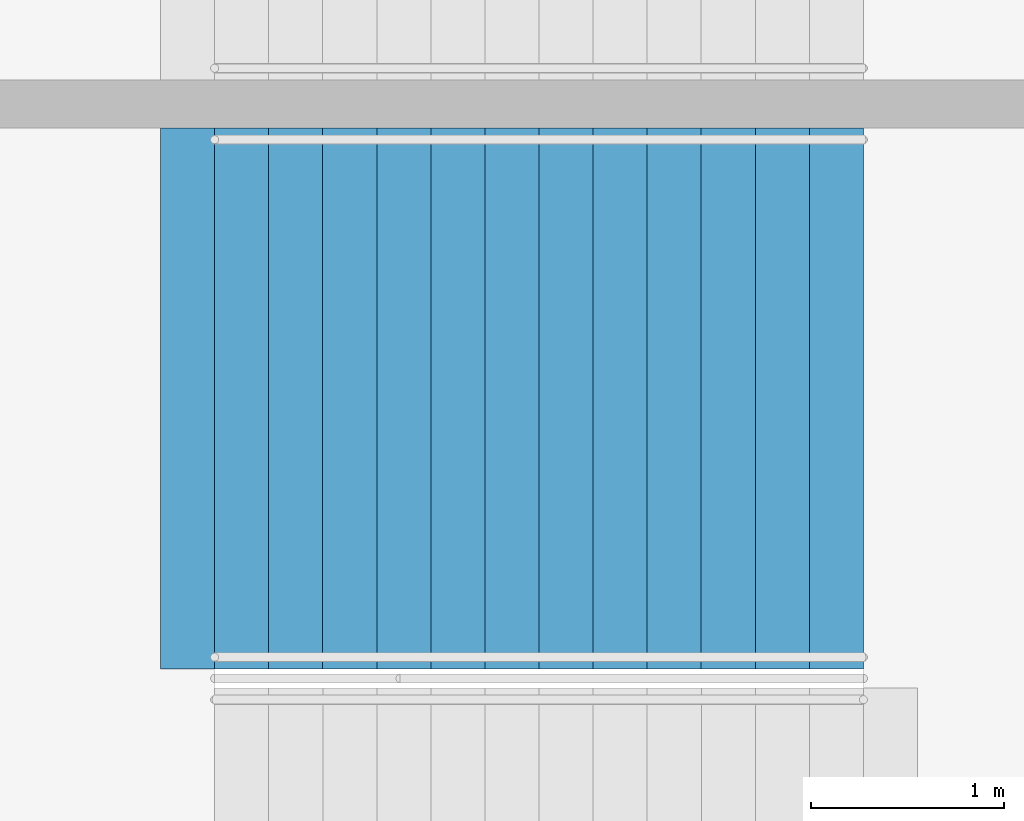
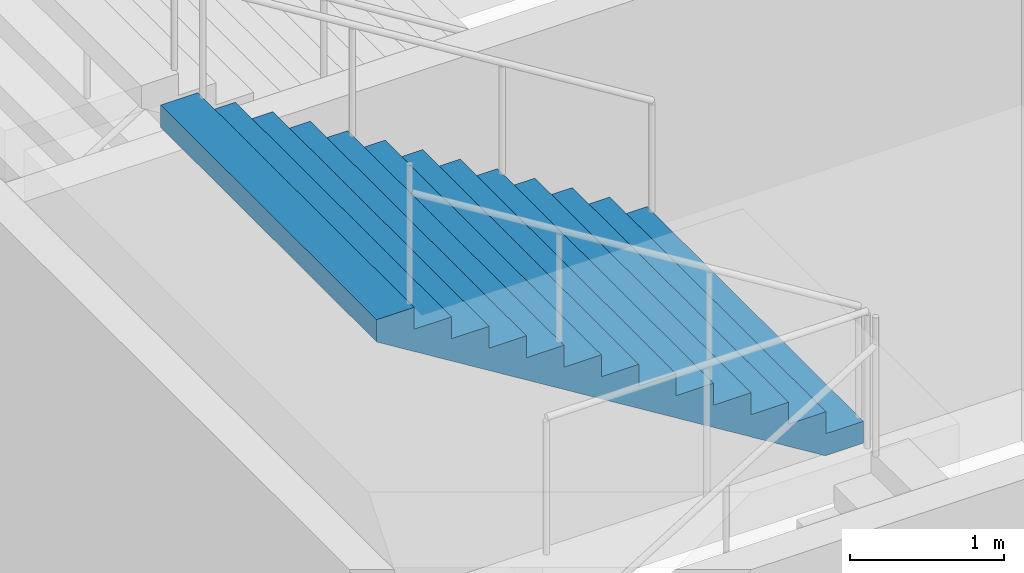
# One storey, part 221 of 249: 1 stair flight, 1 element without a shape of its own.
"""IFC4 building model written with IfcOpenShell, lengths in metres."""

from ifc_helpers import new_model, si_unit, direction, frame, origin, place, context, subcontext, project, spatial, faceted_brep, material, type_object, element, aggregate, save


model = new_model("IFC4")

# Units and contexts
model_context = context("Model", 3, precision=1e-05, world=origin(), true_north=direction((0.0, 1.0)))
body_context = subcontext(model_context, "Body", "Model", "MODEL_VIEW")
ifc_project = project(units=[si_unit("LENGTHUNIT", "METRE"), si_unit("AREAUNIT", "SQUARE_METRE"), si_unit("VOLUMEUNIT", "CUBIC_METRE"), si_unit("PLANEANGLEUNIT", "RADIAN"), si_unit("MASSUNIT", "GRAM", prefix="KILO")], contexts=[model_context])

# Site, building, storey
site_placement = place(None, origin())
site = spatial("IfcSite", under=ifc_project, at=site_placement, CompositionType="ELEMENT")
building_placement = place(site_placement, origin())
building = spatial("IfcBuilding", under=site, at=building_placement, Name="Ogive Plaza Stadium", CompositionType="ELEMENT")
storey_placement = place(building_placement, frame((0.0, 0.0, 13.5)))
storey = spatial("IfcBuildingStorey", under=building, at=storey_placement, Name="L03", CompositionType="ELEMENT", Elevation=13.5)

# Stair, stair flight
ifc_material_1 = material(Name="Concrete C40/50", Category="concrete")
stair_type = type_object("IfcStairType", Name="Exit stair", PredefinedType="STRAIGHT_RUN_STAIR", material=ifc_material_1)
stair_placement = place(storey_placement, origin())
stair = element("IfcStair", 1, at=stair_placement, inside=storey, type_object=stair_type, Name="Exit stair ST02A L03 to L04", PredefinedType="STRAIGHT_RUN_STAIR")
ifc_material_2 = material(Name="Concrete C40/50", Category="concrete")
stair_flight_type = type_object("IfcStairFlightType", Name="Exit stair flight", PredefinedType="STRAIGHT", material=ifc_material_2)
stair_flight_placement = place(storey_placement, frame((79.7099609375, 35.97509765625, 2.25), z_axis=(0.0, 0.0, 1.0), x_axis=(-1.0, 0.0, 0.0)))
stair_flight = element("IfcStairFlight", 2, at=stair_flight_placement, type_object=stair_flight_type, Name="ST02A flight 2", NumberOfRisers=13, NumberOfTreads=12, PredefinedType="STRAIGHT", RiserHeight=0.173076923, TreadLength=0.28, context=body_context, shape_type="Brep", body=[
    faceted_brep([(0.28515625, -1.39990234375, 0.0), (3.639892578125, -1.39990234375, 2.07373046875), (3.639892578125, -1.39990234375, 2.25), (3.360107421875, -1.39990234375, 2.25), (3.360107421875, -1.39990234375, 2.076904296875), (3.080078125, -1.39990234375, 2.076904296875), (3.080078125, -1.39990234375, 1.90380859375), (2.800048828125, -1.39990234375, 1.90380859375), (2.800048828125, -1.39990234375, 1.730712890625), (2.52001953125, -1.39990234375, 1.730712890625), (2.52001953125, -1.39990234375, 1.5576171875), (2.239990234375, -1.39990234375, 1.5576171875), (2.239990234375, -1.39990234375, 1.384521484375), (1.9599609375, -1.39990234375, 1.384521484375), (1.9599609375, -1.39990234375, 1.21142578125), (1.679931640625, -1.39990234375, 1.21142578125), (1.679931640625, -1.39990234375, 1.03857421875), (1.39990234375, -1.39990234375, 1.03857421875), (1.39990234375, -1.39990234375, 0.865478515625), (1.1201171875, -1.39990234375, 0.865478515625), (1.1201171875, -1.39990234375, 0.6923828125), (0.840087890625, -1.39990234375, 0.6923828125), (0.840087890625, -1.39990234375, 0.519287109375), (0.56005859375, -1.39990234375, 0.519287109375), (0.56005859375, -1.39990234375, 0.34619140625), (0.280029296875, -1.39990234375, 0.34619140625), (0.280029296875, -1.39990234375, 0.173095703125), (0.0, -1.39990234375, 0.173095703125), (0.0, -1.39990234375, 0.0), (0.0, 1.39990234375, 0.0), (0.0, 1.39990234375, 0.173095703125), (0.280029296875, 1.39990234375, 0.173095703125), (0.280029296875, 1.39990234375, 0.34619140625), (0.56005859375, 1.39990234375, 0.34619140625), (0.56005859375, 1.39990234375, 0.519287109375), (0.840087890625, 1.39990234375, 0.519287109375), (0.840087890625, 1.39990234375, 0.6923828125), (1.1201171875, 1.39990234375, 0.6923828125), (1.1201171875, 1.39990234375, 0.865478515625), (1.39990234375, 1.39990234375, 0.865478515625), (1.39990234375, 1.39990234375, 1.03857421875), (1.679931640625, 1.39990234375, 1.03857421875), (1.679931640625, 1.39990234375, 1.21142578125), (1.9599609375, 1.39990234375, 1.21142578125), (1.9599609375, 1.39990234375, 1.384521484375), (2.239990234375, 1.39990234375, 1.384521484375), (2.239990234375, 1.39990234375, 1.5576171875), (2.52001953125, 1.39990234375, 1.5576171875), (2.52001953125, 1.39990234375, 1.730712890625), (2.800048828125, 1.39990234375, 1.730712890625), (2.800048828125, 1.39990234375, 1.90380859375), (3.080078125, 1.39990234375, 1.90380859375), (3.080078125, 1.39990234375, 2.076904296875), (3.360107421875, 1.39990234375, 2.076904296875), (3.360107421875, 1.39990234375, 2.25), (3.639892578125, 1.39990234375, 2.25), (3.639892578125, 1.39990234375, 2.07373046875), (0.28515625, 1.39990234375, 0.0), (0.28515625, -1.0888671875, 0.0), (3.639892578125, -1.0888671875, 2.07373046875), (0.28515625, -0.77783203125, 0.0), (3.639892578125, -0.77783203125, 2.07373046875), (0.28515625, -0.466796875, 0.0), (3.639892578125, -0.466796875, 2.07373046875), (0.28515625, -0.155517578125, 0.0), (3.639892578125, -0.155517578125, 2.07373046875), (0.28515625, 0.155517578125, 0.0), (3.639892578125, 0.155517578125, 2.07373046875), (0.28515625, 0.466796875, 0.0), (3.639892578125, 0.466796875, 2.07373046875), (0.28515625, 0.77783203125, 0.0), (3.639892578125, 0.77783203125, 2.07373046875), (0.28515625, 1.0888671875, 0.0), (3.639892578125, 1.0888671875, 2.07373046875), (3.639892578125, -1.0888671875, 2.25), (3.639892578125, -0.77783203125, 2.25), (3.639892578125, -0.466796875, 2.25), (3.639892578125, -0.155517578125, 2.25), (3.639892578125, 0.155517578125, 2.25), (3.639892578125, 0.466796875, 2.25), (3.639892578125, 0.77783203125, 2.25), (3.639892578125, 1.0888671875, 2.25), (3.360107421875, -1.0888671875, 2.25), (3.360107421875, -0.77783203125, 2.25), (3.360107421875, -0.466796875, 2.25), (3.360107421875, -0.155517578125, 2.25), (3.360107421875, 0.155517578125, 2.25), (3.360107421875, 0.466796875, 2.25), (3.360107421875, 0.77783203125, 2.25), (3.360107421875, 1.0888671875, 2.25), (3.360107421875, -1.0888671875, 2.076904296875), (3.360107421875, -0.77783203125, 2.076904296875), (3.360107421875, -0.466796875, 2.076904296875), (3.360107421875, -0.155517578125, 2.076904296875), (3.360107421875, 0.155517578125, 2.076904296875), (3.360107421875, 0.466796875, 2.076904296875), (3.360107421875, 0.77783203125, 2.076904296875), (3.360107421875, 1.0888671875, 2.076904296875), (3.080078125, -1.0888671875, 2.076904296875), (3.080078125, -0.77783203125, 2.076904296875), (3.080078125, -0.466796875, 2.076904296875), (3.080078125, -0.155517578125, 2.076904296875), (3.080078125, 0.155517578125, 2.076904296875), (3.080078125, 0.466796875, 2.076904296875), (3.080078125, 0.77783203125, 2.076904296875), (3.080078125, 1.0888671875, 2.076904296875), (3.080078125, -1.0888671875, 1.90380859375), (3.080078125, -0.77783203125, 1.90380859375), (3.080078125, -0.466796875, 1.90380859375), (3.080078125, -0.155517578125, 1.90380859375), (3.080078125, 0.155517578125, 1.90380859375), (3.080078125, 0.466796875, 1.90380859375), (3.080078125, 0.77783203125, 1.90380859375), (3.080078125, 1.0888671875, 1.90380859375), (2.800048828125, -1.0888671875, 1.90380859375), (2.800048828125, -0.77783203125, 1.90380859375), (2.800048828125, -0.466796875, 1.90380859375), (2.800048828125, -0.155517578125, 1.90380859375), (2.800048828125, 0.155517578125, 1.90380859375), (2.800048828125, 0.466796875, 1.90380859375), (2.800048828125, 0.77783203125, 1.90380859375), (2.800048828125, 1.0888671875, 1.90380859375), (2.800048828125, -1.0888671875, 1.730712890625), (2.800048828125, -0.77783203125, 1.730712890625), (2.800048828125, -0.466796875, 1.730712890625), (2.800048828125, -0.155517578125, 1.730712890625), (2.800048828125, 0.155517578125, 1.730712890625), (2.800048828125, 0.466796875, 1.730712890625), (2.800048828125, 0.77783203125, 1.730712890625), (2.800048828125, 1.0888671875, 1.730712890625), (2.52001953125, -1.0888671875, 1.730712890625), (2.52001953125, -0.77783203125, 1.730712890625), (2.52001953125, -0.466796875, 1.730712890625), (2.52001953125, -0.155517578125, 1.730712890625), (2.52001953125, 0.155517578125, 1.730712890625), (2.52001953125, 0.466796875, 1.730712890625), (2.52001953125, 0.77783203125, 1.730712890625), (2.52001953125, 1.0888671875, 1.730712890625), (2.52001953125, -1.0888671875, 1.5576171875), (2.52001953125, -0.77783203125, 1.5576171875), (2.52001953125, -0.466796875, 1.5576171875), (2.52001953125, -0.155517578125, 1.5576171875), (2.52001953125, 0.155517578125, 1.5576171875), (2.52001953125, 0.466796875, 1.5576171875), (2.52001953125, 0.77783203125, 1.5576171875), (2.52001953125, 1.0888671875, 1.5576171875), (2.239990234375, -1.0888671875, 1.5576171875), (2.239990234375, -0.77783203125, 1.5576171875), (2.239990234375, -0.466796875, 1.5576171875), (2.239990234375, -0.155517578125, 1.5576171875), (2.239990234375, 0.155517578125, 1.5576171875), (2.239990234375, 0.466796875, 1.5576171875), (2.239990234375, 0.77783203125, 1.5576171875), (2.239990234375, 1.0888671875, 1.5576171875), (2.239990234375, -1.0888671875, 1.384521484375), (2.239990234375, -0.77783203125, 1.384521484375), (2.239990234375, -0.466796875, 1.384521484375), (2.239990234375, -0.155517578125, 1.384521484375), (2.239990234375, 0.155517578125, 1.384521484375), (2.239990234375, 0.466796875, 1.384521484375), (2.239990234375, 0.77783203125, 1.384521484375), (2.239990234375, 1.0888671875, 1.384521484375), (1.9599609375, -1.0888671875, 1.384521484375), (1.9599609375, -0.77783203125, 1.384521484375), (1.9599609375, -0.466796875, 1.384521484375), (1.9599609375, -0.155517578125, 1.384521484375), (1.9599609375, 0.155517578125, 1.384521484375), (1.9599609375, 0.466796875, 1.384521484375), (1.9599609375, 0.77783203125, 1.384521484375), (1.9599609375, 1.0888671875, 1.384521484375), (1.9599609375, -1.0888671875, 1.21142578125), (1.9599609375, -0.77783203125, 1.21142578125), (1.9599609375, -0.466796875, 1.21142578125), (1.9599609375, -0.155517578125, 1.21142578125), (1.9599609375, 0.155517578125, 1.21142578125), (1.9599609375, 0.466796875, 1.21142578125), (1.9599609375, 0.77783203125, 1.21142578125), (1.9599609375, 1.0888671875, 1.21142578125), (1.679931640625, -1.0888671875, 1.21142578125), (1.679931640625, -0.77783203125, 1.21142578125), (1.679931640625, -0.466796875, 1.21142578125), (1.679931640625, -0.155517578125, 1.21142578125), (1.679931640625, 0.155517578125, 1.21142578125), (1.679931640625, 0.466796875, 1.21142578125), (1.679931640625, 0.77783203125, 1.21142578125), (1.679931640625, 1.0888671875, 1.21142578125), (1.679931640625, -1.0888671875, 1.03857421875), (1.679931640625, -0.77783203125, 1.03857421875), (1.679931640625, -0.466796875, 1.03857421875), (1.679931640625, -0.155517578125, 1.03857421875), (1.679931640625, 0.155517578125, 1.03857421875), (1.679931640625, 0.466796875, 1.03857421875), (1.679931640625, 0.77783203125, 1.03857421875), (1.679931640625, 1.0888671875, 1.03857421875), (1.39990234375, -1.0888671875, 1.03857421875), (1.39990234375, -0.77783203125, 1.03857421875), (1.39990234375, -0.466796875, 1.03857421875), (1.39990234375, -0.155517578125, 1.03857421875), (1.39990234375, 0.155517578125, 1.03857421875), (1.39990234375, 0.466796875, 1.03857421875), (1.39990234375, 0.77783203125, 1.03857421875), (1.39990234375, 1.0888671875, 1.03857421875), (1.39990234375, -1.0888671875, 0.865478515625), (1.39990234375, -0.77783203125, 0.865478515625), (1.39990234375, -0.466796875, 0.865478515625), (1.39990234375, -0.155517578125, 0.865478515625), (1.39990234375, 0.155517578125, 0.865478515625), (1.39990234375, 0.466796875, 0.865478515625), (1.39990234375, 0.77783203125, 0.865478515625), (1.39990234375, 1.0888671875, 0.865478515625), (1.1201171875, -1.0888671875, 0.865478515625), (1.1201171875, -0.77783203125, 0.865478515625), (1.1201171875, -0.466796875, 0.865478515625), (1.1201171875, -0.155517578125, 0.865478515625), (1.1201171875, 0.155517578125, 0.865478515625), (1.1201171875, 0.466796875, 0.865478515625), (1.1201171875, 0.77783203125, 0.865478515625), (1.1201171875, 1.0888671875, 0.865478515625), (1.1201171875, -1.0888671875, 0.6923828125), (1.1201171875, -0.77783203125, 0.6923828125), (1.1201171875, -0.466796875, 0.6923828125), (1.1201171875, -0.155517578125, 0.6923828125), (1.1201171875, 0.155517578125, 0.6923828125), (1.1201171875, 0.466796875, 0.6923828125), (1.1201171875, 0.77783203125, 0.6923828125), (1.1201171875, 1.0888671875, 0.6923828125), (0.840087890625, -1.0888671875, 0.6923828125), (0.840087890625, -0.77783203125, 0.6923828125), (0.840087890625, -0.466796875, 0.6923828125), (0.840087890625, -0.155517578125, 0.6923828125), (0.840087890625, 0.155517578125, 0.6923828125), (0.840087890625, 0.466796875, 0.6923828125), (0.840087890625, 0.77783203125, 0.6923828125), (0.840087890625, 1.0888671875, 0.6923828125), (0.840087890625, -1.0888671875, 0.519287109375), (0.840087890625, -0.77783203125, 0.519287109375), (0.840087890625, -0.466796875, 0.519287109375), (0.840087890625, -0.155517578125, 0.519287109375), (0.840087890625, 0.155517578125, 0.519287109375), (0.840087890625, 0.466796875, 0.519287109375), (0.840087890625, 0.77783203125, 0.519287109375), (0.840087890625, 1.0888671875, 0.519287109375), (0.56005859375, -1.0888671875, 0.519287109375), (0.56005859375, -0.77783203125, 0.519287109375), (0.56005859375, -0.466796875, 0.519287109375), (0.56005859375, -0.155517578125, 0.519287109375), (0.56005859375, 0.155517578125, 0.519287109375), (0.56005859375, 0.466796875, 0.519287109375), (0.56005859375, 0.77783203125, 0.519287109375), (0.56005859375, 1.0888671875, 0.519287109375), (0.56005859375, -1.0888671875, 0.34619140625), (0.56005859375, -0.77783203125, 0.34619140625), (0.56005859375, -0.466796875, 0.34619140625), (0.56005859375, -0.155517578125, 0.34619140625), (0.56005859375, 0.155517578125, 0.34619140625), (0.56005859375, 0.466796875, 0.34619140625), (0.56005859375, 0.77783203125, 0.34619140625), (0.56005859375, 1.0888671875, 0.34619140625), (0.280029296875, -1.0888671875, 0.34619140625), (0.280029296875, -0.77783203125, 0.34619140625), (0.280029296875, -0.466796875, 0.34619140625), (0.280029296875, -0.155517578125, 0.34619140625), (0.280029296875, 0.155517578125, 0.34619140625), (0.280029296875, 0.466796875, 0.34619140625), (0.280029296875, 0.77783203125, 0.34619140625), (0.280029296875, 1.0888671875, 0.34619140625), (0.280029296875, -1.0888671875, 0.173095703125), (0.280029296875, -0.77783203125, 0.173095703125), (0.280029296875, -0.466796875, 0.173095703125), (0.280029296875, -0.155517578125, 0.173095703125), (0.280029296875, 0.155517578125, 0.173095703125), (0.280029296875, 0.466796875, 0.173095703125), (0.280029296875, 0.77783203125, 0.173095703125), (0.280029296875, 1.0888671875, 0.173095703125), (0.0, -1.0888671875, 0.173095703125), (0.0, -0.77783203125, 0.173095703125), (0.0, -0.466796875, 0.173095703125), (0.0, -0.155517578125, 0.173095703125), (0.0, 0.155517578125, 0.173095703125), (0.0, 0.466796875, 0.173095703125), (0.0, 0.77783203125, 0.173095703125), (0.0, 1.0888671875, 0.173095703125), (0.0, -1.0888671875, 0.0), (0.0, -0.77783203125, 0.0), (0.0, -0.466796875, 0.0), (0.0, -0.155517578125, 0.0), (0.0, 0.155517578125, 0.0), (0.0, 0.466796875, 0.0), (0.0, 0.77783203125, 0.0), (0.0, 1.0888671875, 0.0)], [[[0, 1, 2, 3, 4, 5, 6, 7, 8, 9, 10, 11, 12, 13, 14, 15, 16, 17, 18, 19, 20, 21, 22, 23, 24, 25, 26, 27, 28]], [[29, 30, 31, 32, 33, 34, 35, 36, 37, 38, 39, 40, 41, 42, 43, 44, 45, 46, 47, 48, 49, 50, 51, 52, 53, 54, 55, 56, 57]], [[0, 58, 59, 1]], [[58, 60, 61, 59]], [[60, 62, 63, 61]], [[62, 64, 65, 63]], [[64, 66, 67, 65]], [[66, 68, 69, 67]], [[68, 70, 71, 69]], [[70, 72, 73, 71]], [[72, 57, 56, 73]], [[1, 59, 74, 2]], [[59, 61, 75, 74]], [[61, 63, 76, 75]], [[63, 65, 77, 76]], [[65, 67, 78, 77]], [[67, 69, 79, 78]], [[69, 71, 80, 79]], [[71, 73, 81, 80]], [[73, 56, 55, 81]], [[2, 74, 82, 3]], [[74, 75, 83, 82]], [[75, 76, 84, 83]], [[76, 77, 85, 84]], [[77, 78, 86, 85]], [[78, 79, 87, 86]], [[79, 80, 88, 87]], [[80, 81, 89, 88]], [[81, 55, 54, 89]], [[3, 82, 90, 4]], [[82, 83, 91, 90]], [[83, 84, 92, 91]], [[84, 85, 93, 92]], [[85, 86, 94, 93]], [[86, 87, 95, 94]], [[87, 88, 96, 95]], [[88, 89, 97, 96]], [[89, 54, 53, 97]], [[4, 90, 98, 5]], [[90, 91, 99, 98]], [[91, 92, 100, 99]], [[92, 93, 101, 100]], [[93, 94, 102, 101]], [[94, 95, 103, 102]], [[95, 96, 104, 103]], [[96, 97, 105, 104]], [[97, 53, 52, 105]], [[5, 98, 106, 6]], [[98, 99, 107, 106]], [[99, 100, 108, 107]], [[100, 101, 109, 108]], [[101, 102, 110, 109]], [[102, 103, 111, 110]], [[103, 104, 112, 111]], [[104, 105, 113, 112]], [[105, 52, 51, 113]], [[6, 106, 114, 7]], [[106, 107, 115, 114]], [[107, 108, 116, 115]], [[108, 109, 117, 116]], [[109, 110, 118, 117]], [[110, 111, 119, 118]], [[111, 112, 120, 119]], [[112, 113, 121, 120]], [[113, 51, 50, 121]], [[7, 114, 122, 8]], [[114, 115, 123, 122]], [[115, 116, 124, 123]], [[116, 117, 125, 124]], [[117, 118, 126, 125]], [[118, 119, 127, 126]], [[119, 120, 128, 127]], [[120, 121, 129, 128]], [[121, 50, 49, 129]], [[8, 122, 130, 9]], [[122, 123, 131, 130]], [[123, 124, 132, 131]], [[124, 125, 133, 132]], [[125, 126, 134, 133]], [[126, 127, 135, 134]], [[127, 128, 136, 135]], [[128, 129, 137, 136]], [[129, 49, 48, 137]], [[9, 130, 138, 10]], [[130, 131, 139, 138]], [[131, 132, 140, 139]], [[132, 133, 141, 140]], [[133, 134, 142, 141]], [[134, 135, 143, 142]], [[135, 136, 144, 143]], [[136, 137, 145, 144]], [[137, 48, 47, 145]], [[10, 138, 146, 11]], [[138, 139, 147, 146]], [[139, 140, 148, 147]], [[140, 141, 149, 148]], [[141, 142, 150, 149]], [[142, 143, 151, 150]], [[143, 144, 152, 151]], [[144, 145, 153, 152]], [[145, 47, 46, 153]], [[11, 146, 154, 12]], [[146, 147, 155, 154]], [[147, 148, 156, 155]], [[148, 149, 157, 156]], [[149, 150, 158, 157]], [[150, 151, 159, 158]], [[151, 152, 160, 159]], [[152, 153, 161, 160]], [[153, 46, 45, 161]], [[12, 154, 162, 13]], [[154, 155, 163, 162]], [[155, 156, 164, 163]], [[156, 157, 165, 164]], [[157, 158, 166, 165]], [[158, 159, 167, 166]], [[159, 160, 168, 167]], [[160, 161, 169, 168]], [[161, 45, 44, 169]], [[13, 162, 170, 14]], [[162, 163, 171, 170]], [[163, 164, 172, 171]], [[164, 165, 173, 172]], [[165, 166, 174, 173]], [[166, 167, 175, 174]], [[167, 168, 176, 175]], [[168, 169, 177, 176]], [[169, 44, 43, 177]], [[14, 170, 178, 15]], [[170, 171, 179, 178]], [[171, 172, 180, 179]], [[172, 173, 181, 180]], [[173, 174, 182, 181]], [[174, 175, 183, 182]], [[175, 176, 184, 183]], [[176, 177, 185, 184]], [[177, 43, 42, 185]], [[15, 178, 186, 16]], [[178, 179, 187, 186]], [[179, 180, 188, 187]], [[180, 181, 189, 188]], [[181, 182, 190, 189]], [[182, 183, 191, 190]], [[183, 184, 192, 191]], [[184, 185, 193, 192]], [[185, 42, 41, 193]], [[16, 186, 194, 17]], [[186, 187, 195, 194]], [[187, 188, 196, 195]], [[188, 189, 197, 196]], [[189, 190, 198, 197]], [[190, 191, 199, 198]], [[191, 192, 200, 199]], [[192, 193, 201, 200]], [[193, 41, 40, 201]], [[17, 194, 202, 18]], [[194, 195, 203, 202]], [[195, 196, 204, 203]], [[196, 197, 205, 204]], [[197, 198, 206, 205]], [[198, 199, 207, 206]], [[199, 200, 208, 207]], [[200, 201, 209, 208]], [[201, 40, 39, 209]], [[18, 202, 210, 19]], [[202, 203, 211, 210]], [[203, 204, 212, 211]], [[204, 205, 213, 212]], [[205, 206, 214, 213]], [[206, 207, 215, 214]], [[207, 208, 216, 215]], [[208, 209, 217, 216]], [[209, 39, 38, 217]], [[19, 210, 218, 20]], [[210, 211, 219, 218]], [[211, 212, 220, 219]], [[212, 213, 221, 220]], [[213, 214, 222, 221]], [[214, 215, 223, 222]], [[215, 216, 224, 223]], [[216, 217, 225, 224]], [[217, 38, 37, 225]], [[20, 218, 226, 21]], [[218, 219, 227, 226]], [[219, 220, 228, 227]], [[220, 221, 229, 228]], [[221, 222, 230, 229]], [[222, 223, 231, 230]], [[223, 224, 232, 231]], [[224, 225, 233, 232]], [[225, 37, 36, 233]], [[21, 226, 234, 22]], [[226, 227, 235, 234]], [[227, 228, 236, 235]], [[228, 229, 237, 236]], [[229, 230, 238, 237]], [[230, 231, 239, 238]], [[231, 232, 240, 239]], [[232, 233, 241, 240]], [[233, 36, 35, 241]], [[22, 234, 242, 23]], [[234, 235, 243, 242]], [[235, 236, 244, 243]], [[236, 237, 245, 244]], [[237, 238, 246, 245]], [[238, 239, 247, 246]], [[239, 240, 248, 247]], [[240, 241, 249, 248]], [[241, 35, 34, 249]], [[23, 242, 250, 24]], [[242, 243, 251, 250]], [[243, 244, 252, 251]], [[244, 245, 253, 252]], [[245, 246, 254, 253]], [[246, 247, 255, 254]], [[247, 248, 256, 255]], [[248, 249, 257, 256]], [[249, 34, 33, 257]], [[24, 250, 258, 25]], [[250, 251, 259, 258]], [[251, 252, 260, 259]], [[252, 253, 261, 260]], [[253, 254, 262, 261]], [[254, 255, 263, 262]], [[255, 256, 264, 263]], [[256, 257, 265, 264]], [[257, 33, 32, 265]], [[25, 258, 266, 26]], [[258, 259, 267, 266]], [[259, 260, 268, 267]], [[260, 261, 269, 268]], [[261, 262, 270, 269]], [[262, 263, 271, 270]], [[263, 264, 272, 271]], [[264, 265, 273, 272]], [[265, 32, 31, 273]], [[26, 266, 274, 27]], [[266, 267, 275, 274]], [[267, 268, 276, 275]], [[268, 269, 277, 276]], [[269, 270, 278, 277]], [[270, 271, 279, 278]], [[271, 272, 280, 279]], [[272, 273, 281, 280]], [[273, 31, 30, 281]], [[27, 274, 282, 28]], [[274, 275, 283, 282]], [[275, 276, 284, 283]], [[276, 277, 285, 284]], [[277, 278, 286, 285]], [[278, 279, 287, 286]], [[279, 280, 288, 287]], [[280, 281, 289, 288]], [[281, 30, 29, 289]], [[28, 282, 58, 0]], [[282, 283, 60, 58]], [[283, 284, 62, 60]], [[284, 285, 64, 62]], [[285, 286, 66, 64]], [[286, 287, 68, 66]], [[287, 288, 70, 68]], [[288, 289, 72, 70]], [[289, 29, 57, 72]]]),
])
aggregate(stair, [stair_flight])

save(model, "model.ifc")
